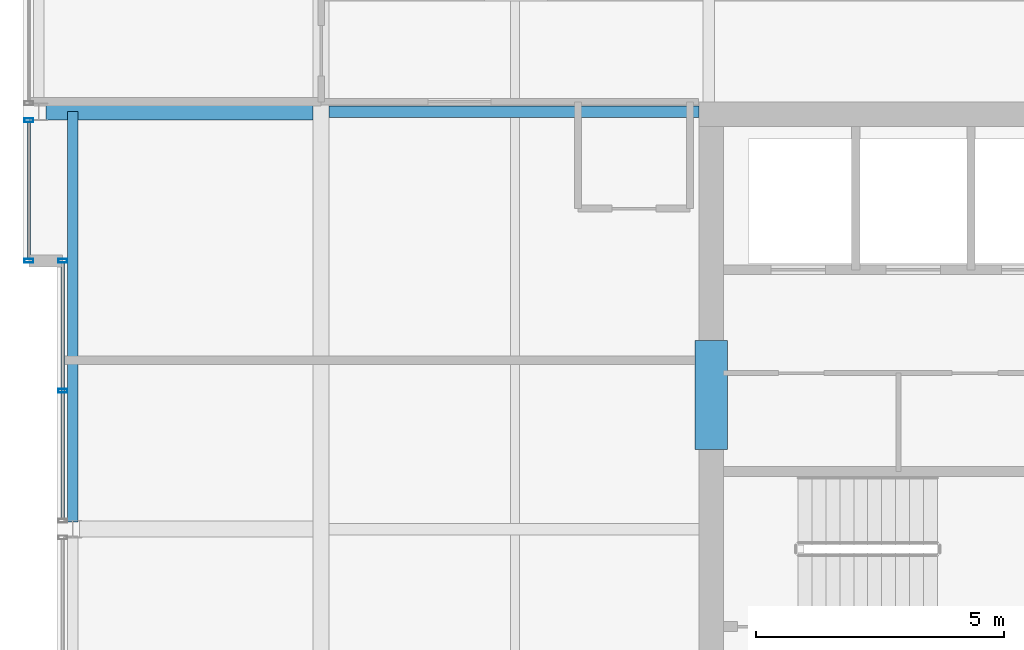
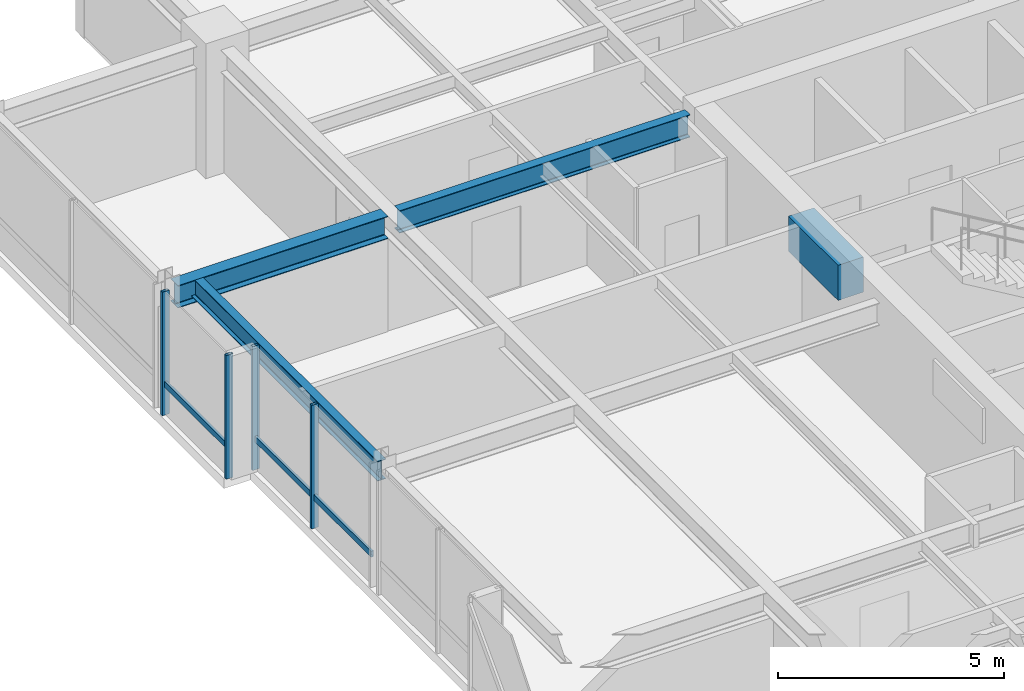
# One storey, part 13 of 34: 6 members, 4 beams, 2 elements without a shape of their own.
"""IFC4 building model written with IfcOpenShell, lengths in metres."""

from ifc_helpers import new_model, si_unit, direction, frame, origin, origin_2d, place, context, subcontext, project, spatial, rectangle, hollow_rectangle, i_section, extrude, material, layer, layer_set, material_profile, profile_set, type_object, element, aggregate, save


model = new_model("IFC4")

# Units and contexts
model_context = context("Model", 3, precision=1e-05, world=origin(), true_north=direction((0.0, 1.0)))
body_context = subcontext(model_context, "Body", "Model", "MODEL_VIEW")
ifc_project = project(units=[si_unit("LENGTHUNIT", "METRE"), si_unit("AREAUNIT", "SQUARE_METRE"), si_unit("VOLUMEUNIT", "CUBIC_METRE"), si_unit("PLANEANGLEUNIT", "RADIAN"), si_unit("MASSUNIT", "GRAM", prefix="KILO")], contexts=[model_context])

# Site, building, storey
site_placement = place(None, origin())
site = spatial("IfcSite", under=ifc_project, at=site_placement, CompositionType="ELEMENT")
building_placement = place(site_placement, origin())
building = spatial("IfcBuilding", under=site, at=building_placement, Name="Drelvath Grand Hotel", CompositionType="ELEMENT")
storey_placement = place(building_placement, frame((0.0, 0.0, 290.550048828125)))
storey = spatial("IfcBuildingStorey", under=building, at=storey_placement, Name="L76", CompositionType="ELEMENT", Elevation=290.550048828125)

# Beam
ifc_material_1 = material(Name="Concrete f'c 55 MPa", Category="concrete")
ifc_material_profile_1 = material_profile(ifc_material_1, rectangle(XDim=0.64990234375, YDim=0.949951171875, at=origin_2d()), Name="CB650X950")
ifc_profile_set_1 = profile_set([ifc_material_profile_1], Name="Concrete f'c 55 MPa")
beam_type_1 = type_object("IfcBeamType", Name="Core Coupling Lintel CB650X950", PredefinedType="LINTEL", material=ifc_profile_set_1)
beam_1_placement = place(storey_placement, frame((-8.35009765625, 28.60009765625, 2.875), z_axis=(0.0, 1.0, 0.0), x_axis=(-1.0, 0.0, 0.0)))
element("IfcBeam", 1, at=beam_1_placement, inside=storey, type_object=beam_type_1, Name="L76 Core Coupling Lintel WN", PredefinedType="LINTEL", context=body_context, shape_type="SweptSolid", body=[
    extrude(rectangle(XDim=0.64990234375, YDim=0.949951171875, at=origin_2d()), origin(), (0.0, 0.0, 1.0), 2.199951171875),
])

# Curtain wall, member
ifc_material_2 = material(Name="Platinum-Mist Anodised Aluminium Frame", Category="aluminium")
ifc_layer = layer(ifc_material_2, 0.199951171875)
ifc_layer_set = layer_set([ifc_layer], Name="Platinum-Mist Anodised Aluminium Frame")
curtain_wall_type = type_object("IfcCurtainWallType", Name="Stick Curtain Wall CW-05 Platinum Mist High-Rise", PredefinedType="NOTDEFINED", material=ifc_layer_set)
curtain_wall_1_placement = place(storey_placement, origin())
curtain_wall_1 = element("IfcCurtainWall", 2, at=curtain_wall_1_placement, inside=storey, type_object=curtain_wall_type, Name="L76 CW-05 Curtain Wall CW05-L76-WM2", PredefinedType="NOTDEFINED")
ifc_material_profile_2 = material_profile(ifc_material_2, hollow_rectangle(XDim=0.06494140625, YDim=0.159912109375, WallThickness=0.00390625, at=origin_2d()), Name="HSS160X65X4")
ifc_profile_set_2 = profile_set([ifc_material_profile_2], Name="Platinum-Mist Anodised Aluminium Frame")
member_type_1 = type_object("IfcMemberType", Name="Curtain Wall Horizontal Transom CW-05 HSS160X65X4", PredefinedType="USERDEFINED", material=ifc_profile_set_2)
member_1_placement = place(storey_placement, frame((-21.39990234375, 27.2099609375, 0.83740234375), z_axis=(0.0, 1.0, 0.0), x_axis=(-1.0, 0.0, 0.0)))
member_1 = element("IfcMember", 3, at=member_1_placement, type_object=member_type_1, Name="CW05-L76-WM2 Sill Transom", ObjectType="TRANSOM", PredefinedType="USERDEFINED", context=body_context, shape_type="SweptSolid", body=[
    extrude(hollow_rectangle(XDim=0.06494140625, YDim=0.159912109375, WallThickness=0.00390625, at=origin_2d()), origin(), (0.0, 0.0, 1.0), 5.150146484375),
])

curtain_wall_2_placement = place(storey_placement, origin())
curtain_wall_2 = element("IfcCurtainWall", 4, at=curtain_wall_2_placement, inside=storey, type_object=curtain_wall_type, Name="L76 CW-05 Curtain Wall CW05-L76-WN1", PredefinedType="NOTDEFINED")
member_2_placement = place(storey_placement, frame((-22.080078125, 32.43994140625, 0.83740234375), z_axis=(0.0, 1.0, 0.0), x_axis=(-1.0, 0.0, 0.0)))
member_2 = element("IfcMember", 5, at=member_2_placement, type_object=member_type_1, Name="CW05-L76-WN1 Sill Transom", ObjectType="TRANSOM", PredefinedType="USERDEFINED", context=body_context, shape_type="SweptSolid", body=[
    extrude(hollow_rectangle(XDim=0.06494140625, YDim=0.159912109375, WallThickness=0.00390625, at=origin_2d()), origin(), (0.0, 0.0, 1.0), 2.75),
])

# Member
ifc_material_profile_3 = material_profile(ifc_material_2, hollow_rectangle(XDim=0.074951171875, YDim=0.179931640625, WallThickness=0.0048828125, at=origin_2d()), Name="HSS180X75X5")
ifc_profile_set_3 = profile_set([ifc_material_profile_3], Name="Platinum-Mist Anodised Aluminium Frame")
member_type_2 = type_object("IfcMemberType", Name="Curtain Wall Vertical Mullion CW-05 HSS180X75X5", PredefinedType="MULLION", material=ifc_profile_set_3)
member_3_placement = place(storey_placement, frame((-21.39990234375, 29.784912109375, 0.0), z_axis=(0.0, 0.0, 1.0), x_axis=(0.0, 1.0, 0.0)))
member_3 = element("IfcMember", 6, at=member_3_placement, type_object=member_type_2, Name="CW05-L76-WM2 Mullion 2", PredefinedType="MULLION", context=body_context, shape_type="SweptSolid", body=[
    extrude(hollow_rectangle(XDim=0.074951171875, YDim=0.179931640625, WallThickness=0.0048828125, at=origin_2d()), origin(), (0.0, 0.0, 1.0), 3.349853515625),
])

member_4_placement = place(storey_placement, frame((-21.39990234375, 32.39990234375, 0.0), z_axis=(0.0, 0.0, 1.0), x_axis=(0.0, 1.0, 0.0)))
member_4 = element("IfcMember", 7, at=member_4_placement, type_object=member_type_2, Name="CW05-L76-WM2 Mullion 3", PredefinedType="MULLION", context=body_context, shape_type="SweptSolid", body=[
    extrude(hollow_rectangle(XDim=0.074951171875, YDim=0.179931640625, WallThickness=0.0048828125, at=origin_2d()), origin(), (0.0, 0.0, 1.0), 3.349853515625),
])

aggregate(curtain_wall_1, [member_3, member_4, member_1])

member_5_placement = place(storey_placement, frame((-22.080078125, 32.39990234375, 0.0), z_axis=(0.0, 0.0, 1.0), x_axis=(0.0, 1.0, 0.0)))
member_5 = element("IfcMember", 8, at=member_5_placement, type_object=member_type_2, Name="CW05-L76-WN1 Mullion 1", PredefinedType="MULLION", context=body_context, shape_type="SweptSolid", body=[
    extrude(hollow_rectangle(XDim=0.074951171875, YDim=0.179931640625, WallThickness=0.0048828125, at=origin_2d()), origin(), (0.0, 0.0, 1.0), 3.349853515625),
])

member_6_placement = place(storey_placement, frame((-22.080078125, 35.22998046875, 0.0), z_axis=(0.0, 0.0, 1.0), x_axis=(0.0, 1.0, 0.0)))
member_6 = element("IfcMember", 9, at=member_6_placement, type_object=member_type_2, Name="CW05-L76-WN1 Mullion 2", PredefinedType="MULLION", context=body_context, shape_type="SweptSolid", body=[
    extrude(hollow_rectangle(XDim=0.074951171875, YDim=0.179931640625, WallThickness=0.0048828125, at=origin_2d()), origin(), (0.0, 0.0, 1.0), 3.349853515625),
])

aggregate(curtain_wall_2, [member_5, member_6, member_2])

# Beams
ifc_material_3 = material(Name="Steel ASTM A992 Gr 50", Category="steel")
ifc_material_profile_4 = material_profile(ifc_material_3, i_section(OverallWidth=0.210205078125, OverallDepth=0.53662109375, WebThickness=0.010986328125, FlangeThickness=0.017333984375, FilletRadius=0.01806640625, at=origin_2d()), Name="W21X68")
ifc_profile_set_4 = profile_set([ifc_material_profile_4], Name="Steel ASTM A992 Gr 50")
beam_type_2 = type_object("IfcBeamType", Name="Perimeter Spandrel Beam W21X68", PredefinedType="SPANDREL", material=ifc_profile_set_4)
beam_2_placement = place(storey_placement, frame((-21.199951171875, 27.139892578125, 3.08154296875), z_axis=(0.0, 1.0, 0.0), x_axis=(-1.0, 0.0, 0.0)))
element("IfcBeam", 10, at=beam_2_placement, inside=storey, type_object=beam_type_2, Name="L76 Spandrel West Mid N", PredefinedType="SPANDREL", context=body_context, shape_type="SweptSolid", body=[
    extrude(i_section(OverallWidth=0.210205078125, OverallDepth=0.53662109375, WebThickness=0.010986328125, FlangeThickness=0.017333984375, FilletRadius=0.01806640625, at=origin_2d()), origin(), (0.0, 0.0, 1.0), 8.260009765625),
])
ifc_material_profile_5 = material_profile(ifc_material_3, i_section(OverallWidth=0.323974609375, OverallDepth=0.611083984375, WebThickness=0.0126953125, FlangeThickness=0.01904296875, FilletRadius=0.02197265625, at=origin_2d()), Name="W24X104")
ifc_profile_set_5 = profile_set([ifc_material_profile_5], Name="Steel ASTM A992 Gr 50")
beam_type_3 = type_object("IfcBeamType", Name="Primary Floor Girder W24X104", PredefinedType="BEAM", material=ifc_profile_set_5)
beam_3_placement = place(storey_placement, frame((-21.739990234375, 35.39990234375, 3.04443359375), z_axis=(1.0, 0.0, 0.0), x_axis=(0.0, 1.0, 0.0)))
element("IfcBeam", 11, at=beam_3_placement, inside=storey, type_object=beam_type_3, Name="L76 West Wing Girder F", PredefinedType="BEAM", context=body_context, shape_type="SweptSolid", body=[
    extrude(i_section(OverallWidth=0.323974609375, OverallDepth=0.611083984375, WebThickness=0.0126953125, FlangeThickness=0.01904296875, FilletRadius=0.02197265625, at=origin_2d()), origin(), (0.0, 0.0, 1.0), 5.3779296875),
])
ifc_material_profile_6 = material_profile(ifc_material_3, i_section(OverallWidth=0.228271484375, OverallDepth=0.607666015625, WebThickness=0.01123046875, FlangeThickness=0.017333984375, FilletRadius=0.02001953125, at=origin_2d()), Name="W24X76")
ifc_profile_set_6 = profile_set([ifc_material_profile_6], Name="Steel ASTM A992 Gr 50")
beam_type_4 = type_object("IfcBeamType", Name="Primary Floor Girder W24X76", PredefinedType="BEAM", material=ifc_profile_set_6)
beam_4_placement = place(storey_placement, frame((-16.0380859375, 35.39990234375, 3.046142578125), z_axis=(1.0, 0.0, 0.0), x_axis=(0.0, 1.0, 0.0)))
element("IfcBeam", 12, at=beam_4_placement, inside=storey, type_object=beam_type_4, Name="L76 West Core Tie F", PredefinedType="BEAM", context=body_context, shape_type="SweptSolid", body=[
    extrude(i_section(OverallWidth=0.228271484375, OverallDepth=0.607666015625, WebThickness=0.01123046875, FlangeThickness=0.017333984375, FilletRadius=0.02001953125, at=origin_2d()), origin(), (0.0, 0.0, 1.0), 7.43798828125),
])

save(model, "model.ifc")
